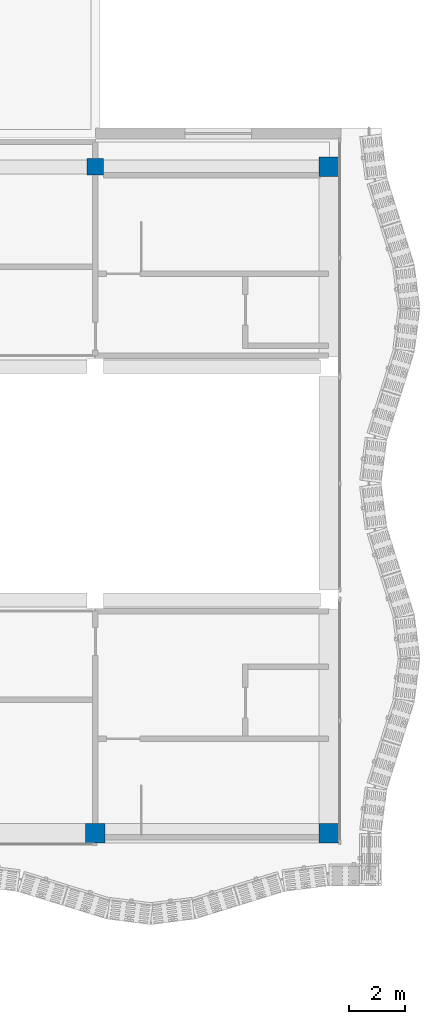
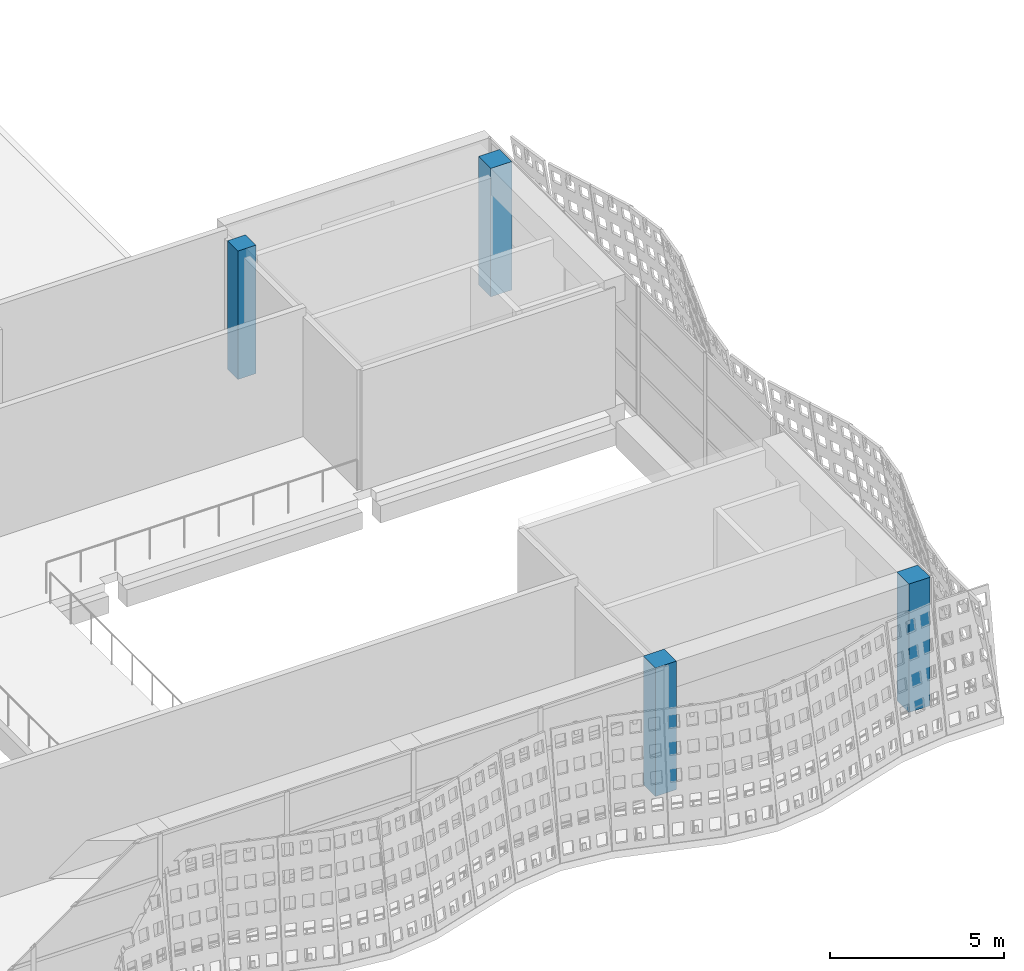
# One storey, part 15 of 162: 4 columns.
"""IFC4 building model written with IfcOpenShell, lengths in metres."""

from ifc_helpers import new_model, si_unit, direction, frame, origin, origin_2d, place, context, subcontext, project, spatial, rectangle, extrude, material, material_profile, profile_set, type_object, element, save


model = new_model("IFC4")

# Units and contexts
model_context = context("Model", 3, precision=1e-05, world=origin(), true_north=direction((0.0, 1.0)))
body_context = subcontext(model_context, "Body", "Model", "MODEL_VIEW")
ifc_project = project(units=[si_unit("LENGTHUNIT", "METRE"), si_unit("AREAUNIT", "SQUARE_METRE"), si_unit("VOLUMEUNIT", "CUBIC_METRE"), si_unit("PLANEANGLEUNIT", "RADIAN"), si_unit("MASSUNIT", "GRAM", prefix="KILO")], contexts=[model_context])

# Site, building, storey
site_placement = place(None, origin())
site = spatial("IfcSite", under=ifc_project, at=site_placement, CompositionType="ELEMENT")
building_placement = place(site_placement, origin())
building = spatial("IfcBuilding", under=site, at=building_placement, Name="Rain Tree Exposition and Congress Centre", CompositionType="ELEMENT")
storey_placement = place(building_placement, frame((0.0, 0.0, 6.0)))
storey = spatial("IfcBuildingStorey", under=building, at=storey_placement, Name="L01", CompositionType="ELEMENT", Elevation=6.0)

# Columns
ifc_material_1 = material(Name="Precast concrete C50/60", Category="concrete")
ifc_material_profile_1 = material_profile(ifc_material_1, rectangle(XDim=0.60009765625, YDim=0.60009765625, at=origin_2d()), Name="RC 600x600")
ifc_profile_set_1 = profile_set([ifc_material_profile_1], Name="Precast concrete C50/60")
column_type_1 = type_object("IfcColumnType", Name="Precast column 600x600", PredefinedType="COLUMN", material=ifc_profile_set_1)
column_placement = place(storey_placement, frame((260.39990234375, 99.60009765625, 0.0), z_axis=(0.0, 0.0, 1.0), x_axis=(1.0, 0.0, 0.0)))
element("IfcColumn", 1, at=column_placement, inside=storey, type_object=column_type_1, Name="Concourse column L01 B32", PredefinedType="COLUMN", context=body_context, shape_type="SweptSolid", body=[
    extrude(rectangle(XDim=0.60009765625, YDim=0.60009765625, at=origin_2d()), origin(), (0.0, 0.0, 1.0), 4.5),
])
ifc_material_2 = material(Name="Precast concrete C50/60", Category="concrete")
ifc_material_profile_2 = material_profile(ifc_material_2, rectangle(XDim=0.699951171875, YDim=0.699951171875, at=origin_2d()), Name="RC 700x700")
ifc_profile_set_2 = profile_set([ifc_material_profile_2], Name="Precast concrete C50/60")
column_type_2 = type_object("IfcColumnType", Name="Precast column 700x700", PredefinedType="COLUMN", material=ifc_profile_set_2)
for number, where, z_axis, x_axis, name in (
    (2, (260.39990234375, 75.60009765625, 0.0), (0.0, 0.0, 1.0), (1.0, 0.0, 0.0), "Concourse column L01 A32"),
    (3, (268.800048828125, 75.60009765625, 0.0), (0.0, 0.0, 1.0), (1.0, 0.0, 0.0), "Concourse column L01 A33"),
    (4, (268.800048828125, 99.60009765625, 0.0), (0.0, 0.0, 1.0), (1.0, 0.0, 0.0), "Concourse column L01 B33"),
):
    element("IfcColumn", number, at=place(storey_placement, frame(where, z_axis=z_axis, x_axis=x_axis)), inside=storey, type_object=column_type_2, Name=name, PredefinedType="COLUMN", context=body_context, shape_type="SweptSolid", body=[
        extrude(rectangle(XDim=0.699951171875, YDim=0.699951171875, at=origin_2d()), origin(), (0.0, 0.0, 1.0), 4.5),
    ])

save(model, "model.ifc")
